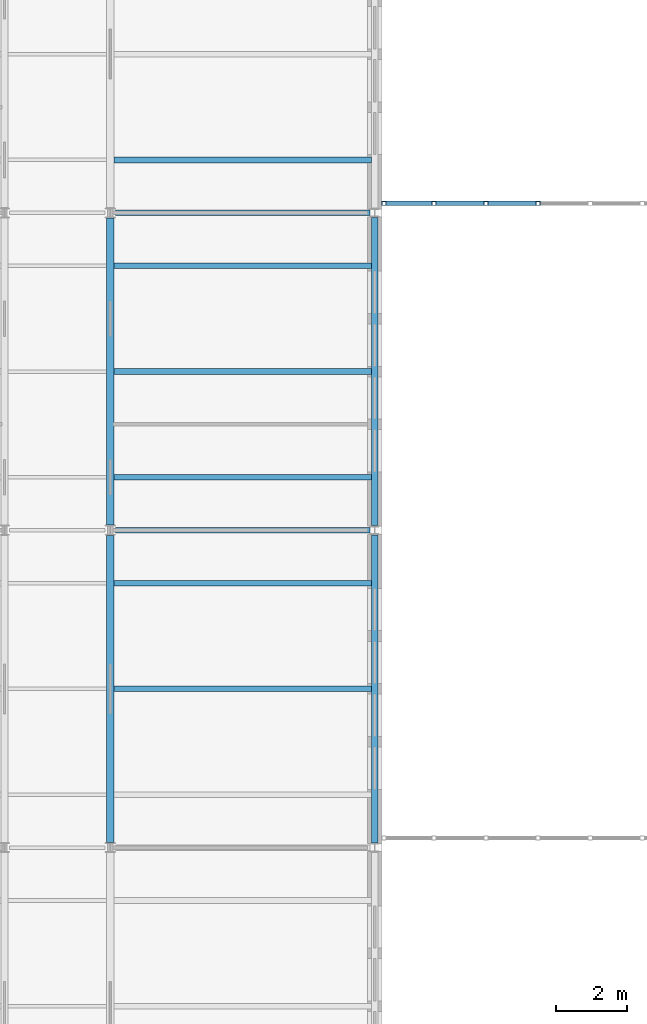
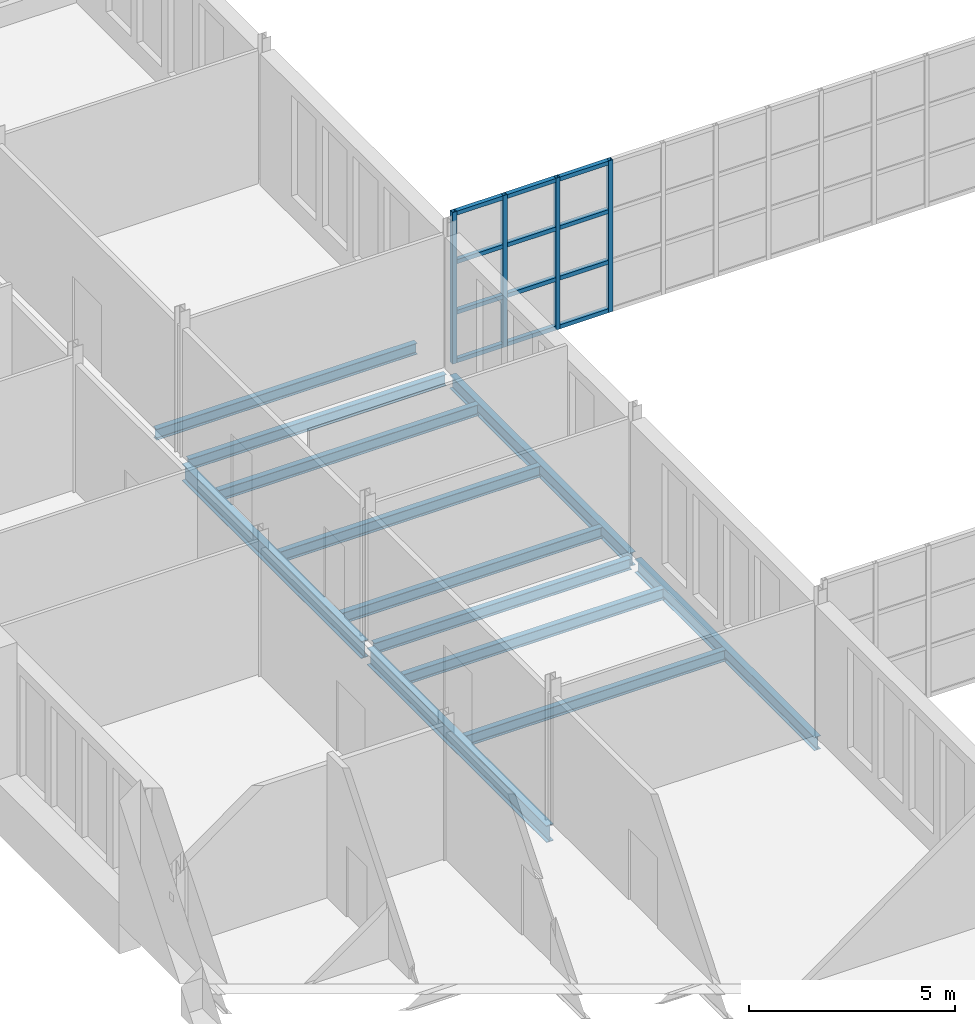
# One storey, part 36 of 131: 16 members, 12 beams, 1 element without a shape of its own.
"""IFC4 building model written with IfcOpenShell, lengths in metres."""

from ifc_helpers import new_model, si_unit, direction, frame, origin, origin_2d, place, context, subcontext, project, spatial, hollow_rectangle, i_section, extrude, material, material_profile, profile_set, type_object, element, aggregate, save


model = new_model("IFC4")

# Units and contexts
model_context = context("Model", 3, precision=1e-05, world=origin(), true_north=direction((0.0, 1.0)))
body_context = subcontext(model_context, "Body", "Model", "MODEL_VIEW")
ifc_project = project(units=[si_unit("LENGTHUNIT", "METRE"), si_unit("AREAUNIT", "SQUARE_METRE"), si_unit("VOLUMEUNIT", "CUBIC_METRE"), si_unit("PLANEANGLEUNIT", "RADIAN"), si_unit("MASSUNIT", "GRAM", prefix="KILO")], contexts=[model_context])

# Site, building, storey
site_placement = place(None, origin())
site = spatial("IfcSite", under=ifc_project, at=site_placement, CompositionType="ELEMENT")
building_placement = place(site_placement, origin())
building = spatial("IfcBuilding", under=site, at=building_placement, Name="Golden Quay Civic Hall", CompositionType="ELEMENT")
storey_placement = place(building_placement, frame((0.0, 0.0, 9.89990234375)))
storey = spatial("IfcBuildingStorey", under=building, at=storey_placement, Name="L02", CompositionType="ELEMENT", Elevation=9.89990234375)

# Curtain wall, members
ifc_material_1 = material(Name="Fire-resisting glass and steel", Category="steel")
curtain_wall_type = type_object("IfcCurtainWallType", Name="Fire-resisting glazed curtain wall EI 120", PredefinedType="NOTDEFINED", material=ifc_material_1)
curtain_wall_placement = place(storey_placement, origin())
curtain_wall = element("IfcCurtainWall", 1, at=curtain_wall_placement, inside=storey, type_object=curtain_wall_type, Name="CW3 curtain wall", PredefinedType="NOTDEFINED")
ifc_material_2 = material(Name="Steel S355", Category="steel")
ifc_material_profile_1 = material_profile(ifc_material_2, hollow_rectangle(XDim=0.1201171875, YDim=0.1201171875, WallThickness=0.008056640625, at=origin_2d()), Name="SHS 120x120x8")
ifc_profile_set_1 = profile_set([ifc_material_profile_1], Name="Steel S355")
member_type_1 = type_object("IfcMemberType", Name="Fire-resisting steel mullion SHS 120x120x8", PredefinedType="MULLION", material=ifc_profile_set_1)
member_1_placement = place(storey_placement, frame((72.260009765625, 36.27001953125, -0.199951171875), z_axis=(0.0, 0.0, 1.0), x_axis=(0.0, 1.0, 0.0)))
member_1 = element("IfcMember", 2, at=member_1_placement, type_object=member_type_1, Name="CW3 mullion 1", PredefinedType="MULLION", context=body_context, shape_type="SweptSolid", body=[
    extrude(hollow_rectangle(XDim=0.1201171875, YDim=0.1201171875, WallThickness=0.008056640625, at=origin_2d()), origin(), (0.0, 0.0, 1.0), 4.5),
])
member_2_placement = place(storey_placement, frame((73.677734375, 36.27001953125, -0.199951171875), z_axis=(0.0, 0.0, 1.0), x_axis=(0.0, 1.0, 0.0)))
member_2 = element("IfcMember", 3, at=member_2_placement, type_object=member_type_1, Name="CW3 mullion 2", PredefinedType="MULLION", context=body_context, shape_type="SweptSolid", body=[
    extrude(hollow_rectangle(XDim=0.1201171875, YDim=0.1201171875, WallThickness=0.008056640625, at=origin_2d()), origin(), (0.0, 0.0, 1.0), 4.5),
])
member_3_placement = place(storey_placement, frame((75.155517578125, 36.27001953125, -0.199951171875), z_axis=(0.0, 0.0, 1.0), x_axis=(0.0, 1.0, 0.0)))
member_3 = element("IfcMember", 4, at=member_3_placement, type_object=member_type_1, Name="CW3 mullion 3", PredefinedType="MULLION", context=body_context, shape_type="SweptSolid", body=[
    extrude(hollow_rectangle(XDim=0.1201171875, YDim=0.1201171875, WallThickness=0.008056640625, at=origin_2d()), origin(), (0.0, 0.0, 1.0), 4.5),
])
member_4_placement = place(storey_placement, frame((76.63330078125, 36.27001953125, -0.199951171875), z_axis=(0.0, 0.0, 1.0), x_axis=(0.0, 1.0, 0.0)))
member_4 = element("IfcMember", 5, at=member_4_placement, type_object=member_type_1, Name="CW3 mullion 4", PredefinedType="MULLION", context=body_context, shape_type="SweptSolid", body=[
    extrude(hollow_rectangle(XDim=0.1201171875, YDim=0.1201171875, WallThickness=0.008056640625, at=origin_2d()), origin(), (0.0, 0.0, 1.0), 4.5),
])
ifc_material_3 = material(Name="Steel S355", Category="steel")
ifc_material_profile_2 = material_profile(ifc_material_3, hollow_rectangle(XDim=0.1201171875, YDim=0.1201171875, WallThickness=0.008056640625, at=origin_2d()), Name="SHS 120x120x8")
ifc_profile_set_2 = profile_set([ifc_material_profile_2], Name="Steel S355")
member_type_2 = type_object("IfcMemberType", Name="Fire-resisting steel transom SHS 120x120x8", PredefinedType="USERDEFINED", material=ifc_profile_set_2)
member_5_placement = place(storey_placement, frame((72.320068359375, 36.27001953125, -0.139892578125), z_axis=(1.0, 0.0, 0.0), x_axis=(0.0, 1.0, 0.0)))
member_5 = element("IfcMember", 6, at=member_5_placement, type_object=member_type_2, Name="CW3 transom 1.1", ObjectType="TRANSOM", PredefinedType="USERDEFINED", context=body_context, shape_type="SweptSolid", body=[
    extrude(hollow_rectangle(XDim=0.1201171875, YDim=0.1201171875, WallThickness=0.008056640625, at=origin_2d()), origin(), (0.0, 0.0, 1.0), 1.297607421875),
])
member_6_placement = place(storey_placement, frame((72.320068359375, 36.27001953125, 1.300048828125), z_axis=(1.0, 0.0, 0.0), x_axis=(0.0, 1.0, 0.0)))
member_6 = element("IfcMember", 7, at=member_6_placement, type_object=member_type_2, Name="CW3 transom 1.2", ObjectType="TRANSOM", PredefinedType="USERDEFINED", context=body_context, shape_type="SweptSolid", body=[
    extrude(hollow_rectangle(XDim=0.1201171875, YDim=0.1201171875, WallThickness=0.008056640625, at=origin_2d()), origin(), (0.0, 0.0, 1.0), 1.297607421875),
])
member_7_placement = place(storey_placement, frame((72.320068359375, 36.27001953125, 2.800048828125), z_axis=(1.0, 0.0, 0.0), x_axis=(0.0, 1.0, 0.0)))
member_7 = element("IfcMember", 8, at=member_7_placement, type_object=member_type_2, Name="CW3 transom 1.3", ObjectType="TRANSOM", PredefinedType="USERDEFINED", context=body_context, shape_type="SweptSolid", body=[
    extrude(hollow_rectangle(XDim=0.1201171875, YDim=0.1201171875, WallThickness=0.008056640625, at=origin_2d()), origin(), (0.0, 0.0, 1.0), 1.297607421875),
])
member_8_placement = place(storey_placement, frame((72.320068359375, 36.27001953125, 4.239990234375), z_axis=(1.0, 0.0, 0.0), x_axis=(0.0, 1.0, 0.0)))
member_8 = element("IfcMember", 9, at=member_8_placement, type_object=member_type_2, Name="CW3 transom 1.4", ObjectType="TRANSOM", PredefinedType="USERDEFINED", context=body_context, shape_type="SweptSolid", body=[
    extrude(hollow_rectangle(XDim=0.1201171875, YDim=0.1201171875, WallThickness=0.008056640625, at=origin_2d()), origin(), (0.0, 0.0, 1.0), 1.297607421875),
])
member_9_placement = place(storey_placement, frame((73.73779296875, 36.27001953125, -0.139892578125), z_axis=(1.0, 0.0, 0.0), x_axis=(0.0, 1.0, 0.0)))
member_9 = element("IfcMember", 10, at=member_9_placement, type_object=member_type_2, Name="CW3 transom 2.1", ObjectType="TRANSOM", PredefinedType="USERDEFINED", context=body_context, shape_type="SweptSolid", body=[
    extrude(hollow_rectangle(XDim=0.1201171875, YDim=0.1201171875, WallThickness=0.008056640625, at=origin_2d()), origin(), (0.0, 0.0, 1.0), 1.357666015625),
])
member_10_placement = place(storey_placement, frame((73.73779296875, 36.27001953125, 1.300048828125), z_axis=(1.0, 0.0, 0.0), x_axis=(0.0, 1.0, 0.0)))
member_10 = element("IfcMember", 11, at=member_10_placement, type_object=member_type_2, Name="CW3 transom 2.2", ObjectType="TRANSOM", PredefinedType="USERDEFINED", context=body_context, shape_type="SweptSolid", body=[
    extrude(hollow_rectangle(XDim=0.1201171875, YDim=0.1201171875, WallThickness=0.008056640625, at=origin_2d()), origin(), (0.0, 0.0, 1.0), 1.357666015625),
])
member_11_placement = place(storey_placement, frame((73.73779296875, 36.27001953125, 2.800048828125), z_axis=(1.0, 0.0, 0.0), x_axis=(0.0, 1.0, 0.0)))
member_11 = element("IfcMember", 12, at=member_11_placement, type_object=member_type_2, Name="CW3 transom 2.3", ObjectType="TRANSOM", PredefinedType="USERDEFINED", context=body_context, shape_type="SweptSolid", body=[
    extrude(hollow_rectangle(XDim=0.1201171875, YDim=0.1201171875, WallThickness=0.008056640625, at=origin_2d()), origin(), (0.0, 0.0, 1.0), 1.357666015625),
])
member_12_placement = place(storey_placement, frame((73.73779296875, 36.27001953125, 4.239990234375), z_axis=(1.0, 0.0, 0.0), x_axis=(0.0, 1.0, 0.0)))
member_12 = element("IfcMember", 13, at=member_12_placement, type_object=member_type_2, Name="CW3 transom 2.4", ObjectType="TRANSOM", PredefinedType="USERDEFINED", context=body_context, shape_type="SweptSolid", body=[
    extrude(hollow_rectangle(XDim=0.1201171875, YDim=0.1201171875, WallThickness=0.008056640625, at=origin_2d()), origin(), (0.0, 0.0, 1.0), 1.357666015625),
])
member_13_placement = place(storey_placement, frame((75.215576171875, 36.27001953125, -0.139892578125), z_axis=(1.0, 0.0, 0.0), x_axis=(0.0, 1.0, 0.0)))
member_13 = element("IfcMember", 14, at=member_13_placement, type_object=member_type_2, Name="CW3 transom 3.1", ObjectType="TRANSOM", PredefinedType="USERDEFINED", context=body_context, shape_type="SweptSolid", body=[
    extrude(hollow_rectangle(XDim=0.1201171875, YDim=0.1201171875, WallThickness=0.008056640625, at=origin_2d()), origin(), (0.0, 0.0, 1.0), 1.357666015625),
])
member_14_placement = place(storey_placement, frame((75.215576171875, 36.27001953125, 1.300048828125), z_axis=(1.0, 0.0, 0.0), x_axis=(0.0, 1.0, 0.0)))
member_14 = element("IfcMember", 15, at=member_14_placement, type_object=member_type_2, Name="CW3 transom 3.2", ObjectType="TRANSOM", PredefinedType="USERDEFINED", context=body_context, shape_type="SweptSolid", body=[
    extrude(hollow_rectangle(XDim=0.1201171875, YDim=0.1201171875, WallThickness=0.008056640625, at=origin_2d()), origin(), (0.0, 0.0, 1.0), 1.357666015625),
])
member_15_placement = place(storey_placement, frame((75.215576171875, 36.27001953125, 2.800048828125), z_axis=(1.0, 0.0, 0.0), x_axis=(0.0, 1.0, 0.0)))
member_15 = element("IfcMember", 16, at=member_15_placement, type_object=member_type_2, Name="CW3 transom 3.3", ObjectType="TRANSOM", PredefinedType="USERDEFINED", context=body_context, shape_type="SweptSolid", body=[
    extrude(hollow_rectangle(XDim=0.1201171875, YDim=0.1201171875, WallThickness=0.008056640625, at=origin_2d()), origin(), (0.0, 0.0, 1.0), 1.357666015625),
])
member_16_placement = place(storey_placement, frame((75.215576171875, 36.27001953125, 4.239990234375), z_axis=(1.0, 0.0, 0.0), x_axis=(0.0, 1.0, 0.0)))
member_16 = element("IfcMember", 17, at=member_16_placement, type_object=member_type_2, Name="CW3 transom 3.4", ObjectType="TRANSOM", PredefinedType="USERDEFINED", context=body_context, shape_type="SweptSolid", body=[
    extrude(hollow_rectangle(XDim=0.1201171875, YDim=0.1201171875, WallThickness=0.008056640625, at=origin_2d()), origin(), (0.0, 0.0, 1.0), 1.357666015625),
])
aggregate(curtain_wall, [member_1, member_2, member_3, member_4, member_5, member_6, member_7, member_8, member_9, member_10, member_11, member_12, member_13, member_14, member_15, member_16])

# Beams
ifc_material_4 = material(Name="Steel S355", Category="steel")
ifc_material_profile_3 = material_profile(ifc_material_4, i_section(OverallWidth=0.159912109375, OverallDepth=0.330078125, WebThickness=0.007568359375, FlangeThickness=0.011474609375, FilletRadius=0.01806640625, at=origin_2d()), Name="IPE 330")
ifc_profile_set_3 = profile_set([ifc_material_profile_3], Name="Steel S355")
beam_type_1 = type_object("IfcBeamType", Name="Steel beam IPE 330", PredefinedType="BEAM", material=ifc_profile_set_3)
for number, where, z_axis, x_axis, name in (
    (18, (64.64990234375, 27.0, -0.364990234375), (1.0, 0.0, 0.0), (0.0, 1.0, 0.0), "Beam S27-64.5"),
    (19, (64.64990234375, 36.0, -0.364990234375), (1.0, 0.0, 0.0), (0.0, 1.0, 0.0), "Beam S36-64.5"),
):
    element("IfcBeam", number, at=place(storey_placement, frame(where, z_axis=z_axis, x_axis=x_axis)), inside=storey, type_object=beam_type_1, Name=name, PredefinedType="BEAM", context=body_context, shape_type="SweptSolid", body=[
        extrude(i_section(OverallWidth=0.159912109375, OverallDepth=0.330078125, WebThickness=0.007568359375, FlangeThickness=0.011474609375, FilletRadius=0.01806640625, at=origin_2d()), origin(), (0.0, 0.0, 1.0), 7.210205078125),
    ])
ifc_material_5 = material(Name="Steel S355", Category="steel")
ifc_material_profile_4 = material_profile(ifc_material_5, i_section(OverallWidth=0.179931640625, OverallDepth=0.39990234375, WebThickness=0.008544921875, FlangeThickness=0.013427734375, FilletRadius=0.02099609375, at=origin_2d()), Name="IPE 400")
ifc_profile_set_4 = profile_set([ifc_material_profile_4], Name="Steel S355")
beam_type_2 = type_object("IfcBeamType", Name="Steel beam IPE 400", PredefinedType="BEAM", material=ifc_profile_set_4)
for number, where, z_axis, x_axis, name in (
    (20, (72.0, 18.135009765625, -0.39990234375), (0.0, 1.0, 0.0), (-1.0, 0.0, 0.0), "Beam L72-18"),
    (21, (72.0, 27.135009765625, -0.39990234375), (0.0, 1.0, 0.0), (-1.0, 0.0, 0.0), "Beam L72-27"),
):
    element("IfcBeam", number, at=place(storey_placement, frame(where, z_axis=z_axis, x_axis=x_axis)), inside=storey, type_object=beam_type_2, Name=name, PredefinedType="BEAM", context=body_context, shape_type="SweptSolid", body=[
        extrude(i_section(OverallWidth=0.179931640625, OverallDepth=0.39990234375, WebThickness=0.008544921875, FlangeThickness=0.013427734375, FilletRadius=0.02099609375, at=origin_2d()), origin(), (0.0, 0.0, 1.0), 8.72998046875),
    ])
ifc_material_6 = material(Name="Steel S355", Category="steel")
ifc_material_profile_5 = material_profile(ifc_material_6, i_section(OverallWidth=0.199951171875, OverallDepth=0.5, WebThickness=0.01025390625, FlangeThickness=0.01611328125, FilletRadius=0.02099609375, at=origin_2d()), Name="IPE 500")
ifc_profile_set_5 = profile_set([ifc_material_profile_5], Name="Steel S355")
beam_type_3 = type_object("IfcBeamType", Name="Steel beam IPE 500", PredefinedType="BEAM", material=ifc_profile_set_5)
for number, where, z_axis, x_axis, name in (
    (22, (64.5, 18.14501953125, -0.449951171875), (0.0, 1.0, 0.0), (-1.0, 0.0, 0.0), "Beam L64.5-18"),
    (23, (64.5, 27.14501953125, -0.449951171875), (0.0, 1.0, 0.0), (-1.0, 0.0, 0.0), "Beam L64.5-27"),
):
    element("IfcBeam", number, at=place(storey_placement, frame(where, z_axis=z_axis, x_axis=x_axis)), inside=storey, type_object=beam_type_3, Name=name, PredefinedType="BEAM", context=body_context, shape_type="SweptSolid", body=[
        extrude(i_section(OverallWidth=0.199951171875, OverallDepth=0.5, WebThickness=0.01025390625, FlangeThickness=0.01611328125, FilletRadius=0.02099609375, at=origin_2d()), origin(), (0.0, 0.0, 1.0), 8.7099609375),
    ])
ifc_material_7 = material(Name="Steel S355", Category="steel")
ifc_material_profile_6 = material_profile(ifc_material_7, i_section(OverallWidth=0.159912109375, OverallDepth=0.330078125, WebThickness=0.007568359375, FlangeThickness=0.011474609375, FilletRadius=0.01806640625, at=origin_2d()), Name="IPE 330")
ifc_profile_set_6 = profile_set([ifc_material_profile_6], Name="Steel S355")
beam_type_4 = type_object("IfcBeamType", Name="Steel joist IPE 330", PredefinedType="JOIST", material=ifc_profile_set_6)
for number, where, z_axis, x_axis, name in (
    (24, (64.60009765625, 22.5, -0.364990234375), (1.0, 0.0, 0.0), (0.0, 1.0, 0.0), "Joist J22.5-64.5"),
    (25, (64.60009765625, 25.5, -0.364990234375), (1.0, 0.0, 0.0), (0.0, 1.0, 0.0), "Joist J25.5-64.5"),
    (26, (64.60009765625, 28.5, -0.364990234375), (1.0, 0.0, 0.0), (0.0, 1.0, 0.0), "Joist J28.5-64.5"),
    (27, (64.60009765625, 31.5, -0.364990234375), (1.0, 0.0, 0.0), (0.0, 1.0, 0.0), "Joist J31.5-64.5"),
    (28, (64.60009765625, 34.5, -0.364990234375), (1.0, 0.0, 0.0), (0.0, 1.0, 0.0), "Joist J34.5-64.5"),
    (29, (64.60009765625, 37.5, -0.364990234375), (1.0, 0.0, 0.0), (0.0, 1.0, 0.0), "Joist J37.5-64.5"),
):
    element("IfcBeam", number, at=place(storey_placement, frame(where, z_axis=z_axis, x_axis=x_axis)), inside=storey, type_object=beam_type_4, Name=name, PredefinedType="JOIST", context=body_context, shape_type="SweptSolid", body=[
        extrude(i_section(OverallWidth=0.159912109375, OverallDepth=0.330078125, WebThickness=0.007568359375, FlangeThickness=0.011474609375, FilletRadius=0.01806640625, at=origin_2d()), origin(), (0.0, 0.0, 1.0), 7.309814453125),
    ])

save(model, "model.ifc")
